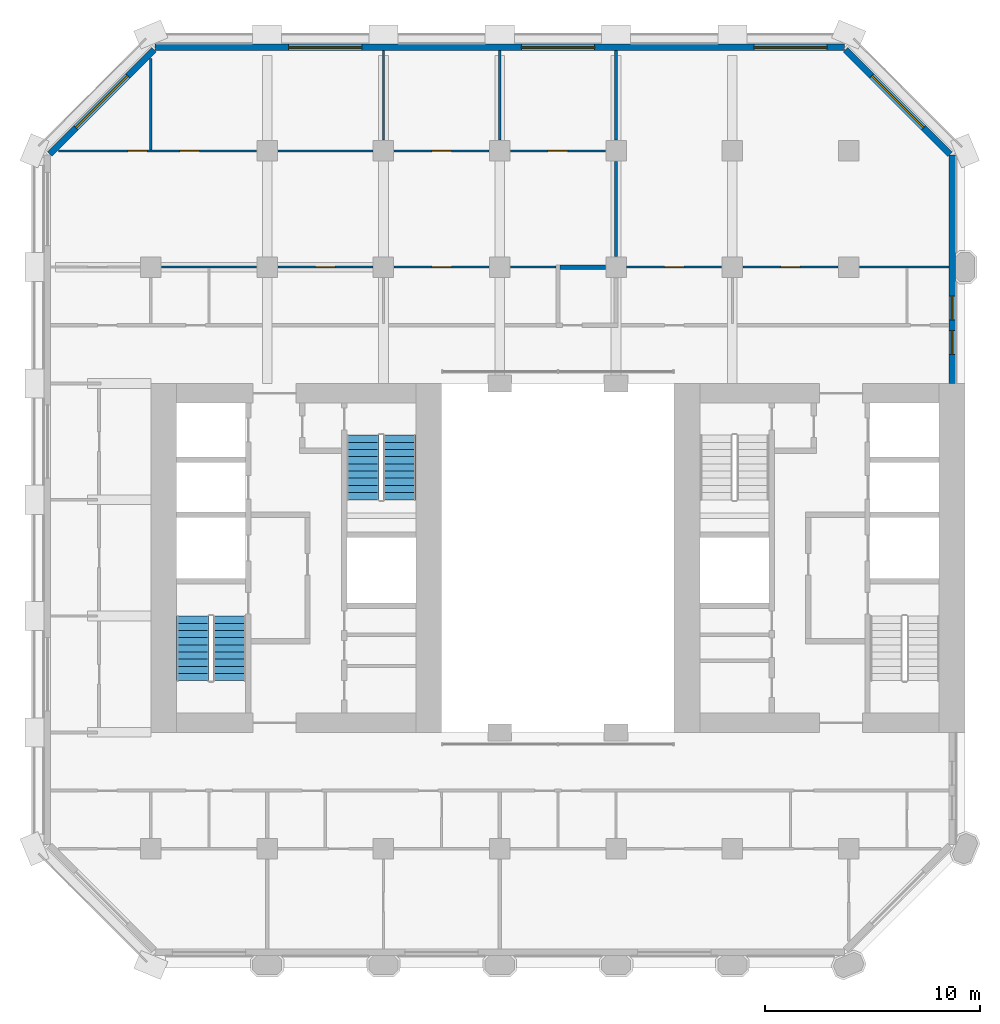
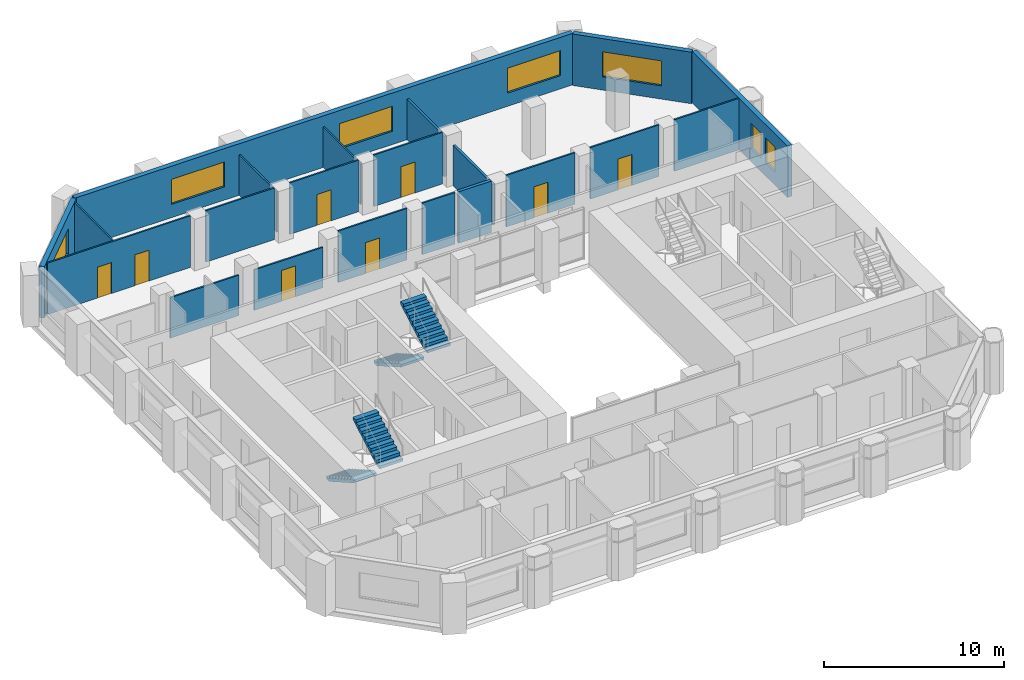
# One storey, part 9 of 13: 21 walls, 8 doors, 7 windows, 4 stair flights, 15 openings, 2 elements without a shape of their own.
"""IFC4 building model written with IfcOpenShell, lengths in metres."""

from ifc_helpers import new_model, si_unit, direction, frame, frame_2d, origin, place, context, subcontext, project, spatial, polyline, rectangle, outline, extrude, material, layer, layer_set, type_object, element, fill, aggregate, save


model = new_model("IFC4")

# Units and contexts
model_context = context("Model", 3, precision=1e-05, world=origin(), true_north=direction((0.0, 1.0)))
body_context = subcontext(model_context, "Body", "Model", "MODEL_VIEW")
ifc_project = project(units=[si_unit("LENGTHUNIT", "METRE"), si_unit("AREAUNIT", "SQUARE_METRE"), si_unit("VOLUMEUNIT", "CUBIC_METRE"), si_unit("PLANEANGLEUNIT", "RADIAN"), si_unit("MASSUNIT", "GRAM", prefix="KILO")], contexts=[model_context])

# Site, building, storey
site_placement = place(None, origin())
site = spatial("IfcSite", under=ifc_project, at=site_placement, CompositionType="ELEMENT")
building_placement = place(site_placement, origin())
building = spatial("IfcBuilding", under=site, at=building_placement, Name="Tabaq Tower and Sports Hall", CompositionType="ELEMENT")
storey_placement = place(building_placement, frame((0.0, 0.0, 110.60009765625)))
storey = spatial("IfcBuildingStorey", under=building, at=storey_placement, Name="L26", CompositionType="ELEMENT", Elevation=110.60009765625)

# Wall
ifc_material_1 = material(Name="Blockwork", Category="masonry")
ifc_layer_1 = layer(ifc_material_1, 0.199951171875)
ifc_layer_set_1 = layer_set([ifc_layer_1], Name="Fire compartment wall 200 Blockwork")
wall_type_1 = type_object("IfcWallType", Name="Fire compartment wall 200 Blockwork", PredefinedType="PARTITIONING", material=ifc_layer_set_1)
wall_1_placement = place(storey_placement, frame((26.5048828125, 37.800048828125, 0.0), z_axis=(0.0, 0.0, 1.0), x_axis=(-1.0, 0.0, 0.0)))
element("IfcWall", 1, at=wall_1_placement, inside=storey, type_object=wall_type_1, Name="Compartment wall L26", PredefinedType="PARTITIONING", context=body_context, shape_type="SweptSolid", body=[
    extrude(rectangle(XDim=2.10498046875, YDim=0.199951171875, at=frame_2d((1.052490234375, 0.0))), origin(), (0.0, 0.0, 1.0), 3.5),
])

# Wall, opening, door
ifc_material_2 = material(Name="Gypsum board on steel studs", Category="steel")
ifc_layer_2 = layer(ifc_material_2, 0.10009765625)
ifc_layer_set_2 = layer_set([ifc_layer_2], Name="Partition 100 Gypsum board")
wall_type_2 = type_object("IfcWallType", Name="Partition 100 Gypsum board", PredefinedType="PARTITIONING", material=ifc_layer_set_2)
wall_2_placement = place(storey_placement, frame((15.705078125, 37.800048828125, 0.0), z_axis=(0.0, 0.0, 1.0), x_axis=(-1.0, 0.0, 0.0)))
wall_2 = element("IfcWall", 2, at=wall_2_placement, inside=storey, type_object=wall_type_2, Name="Partition wall L26", PredefinedType="PARTITIONING", context=body_context, shape_type="SweptSolid", body=[
    extrude(rectangle(XDim=4.41015625, YDim=0.10009765625, at=frame_2d((2.205078125, 0.0))), origin(), (0.0, 0.0, 1.0), 2.75),
])
opening_1_placement = place(wall_2_placement, frame((1.7548828125, 0.0, 0.0)))
opening_1 = element("IfcOpeningElement", 3, at=opening_1_placement, cuts=wall_2, Name="Opening L26-012", PredefinedType="OPENING", context=body_context, shape_type="SweptSolid", body=[
    extrude(rectangle(XDim=0.89990234375, YDim=2.10009765625, at=frame_2d((0.449951171875, 1.050048828125))), frame((0.0, 0.050048828125, 0.0), z_axis=(0.0, -1.0, 0.0), x_axis=(1.0, 0.0, 0.0)), (0.0, 0.0, 1.0), 0.10009765625),
])
ifc_material_3 = material(Name="Timber leaf in steel frame", Category="steel")
door_type_1 = type_object("IfcDoorType", Name="Internal door 900 left hand", OperationType="SINGLE_SWING_LEFT", PredefinedType="DOOR", material=ifc_material_3)
door_1_placement = place(opening_1_placement, origin())
door_1 = element("IfcDoor", 4, at=door_1_placement, inside=storey, type_object=door_type_1, Name="Internal door L26-012", OperationType="SINGLE_SWING_LEFT", OverallHeight=2.10009765625, OverallWidth=0.89990234375, PredefinedType="DOOR", context=body_context, shape_type="SweptSolid", body=[
    extrude(rectangle(XDim=0.89990234375, YDim=2.10009765625, at=frame_2d((0.449951171875, 1.050048828125))), frame((0.0, 0.02490234375, 0.0), z_axis=(0.0, -1.0, 0.0), x_axis=(1.0, 0.0, 0.0)), (0.0, 0.0, 1.0), 0.050048828125),
])
fill(opening_1, door_1)

# Walls
wall_3_placement = place(storey_placement, frame((10.304931640625, 37.800048828125, 0.0), z_axis=(0.0, 0.0, 1.0), x_axis=(-1.0, 0.0, 0.0)))
element("IfcWall", 5, at=wall_3_placement, inside=storey, type_object=wall_type_2, Name="Partition wall L26", PredefinedType="PARTITIONING", context=body_context, shape_type="SweptSolid", body=[
    extrude(rectangle(XDim=4.409912109375, YDim=0.10009765625, at=frame_2d((2.205078125, 0.0))), origin(), (0.0, 0.0, 1.0), 2.75),
])
wall_4_placement = place(storey_placement, frame((24.199951171875, 37.800048828125, 0.0), z_axis=(0.0, 0.0, 1.0), x_axis=(-1.0, 0.0, 0.0)))
element("IfcWall", 6, at=wall_4_placement, inside=storey, type_object=wall_type_2, Name="Partition wall L26", PredefinedType="PARTITIONING", context=body_context, shape_type="SweptSolid", body=[
    extrude(rectangle(XDim=2.10498046875, YDim=0.10009765625, at=frame_2d((1.052490234375, 0.0))), origin(), (0.0, 0.0, 1.0), 3.5),
])

# Wall, opening, door
wall_5_placement = place(storey_placement, frame((21.10498046875, 37.800048828125, 0.0), z_axis=(0.0, 0.0, 1.0), x_axis=(-1.0, 0.0, 0.0)))
wall_5 = element("IfcWall", 7, at=wall_5_placement, inside=storey, type_object=wall_type_2, Name="Partition wall L26", PredefinedType="PARTITIONING", context=body_context, shape_type="SweptSolid", body=[
    extrude(rectangle(XDim=4.409912109375, YDim=0.10009765625, at=frame_2d((2.205078125, 0.0))), origin(), (0.0, 0.0, 1.0), 3.5),
])
opening_2_placement = place(wall_5_placement, frame((1.7548828125, 0.0, 0.0)))
opening_2 = element("IfcOpeningElement", 8, at=opening_2_placement, cuts=wall_5, Name="Opening L26-013", PredefinedType="OPENING", context=body_context, shape_type="SweptSolid", body=[
    extrude(rectangle(XDim=0.89990234375, YDim=2.10009765625, at=frame_2d((0.449951171875, 1.050048828125))), frame((0.0, 0.050048828125, 0.0), z_axis=(0.0, -1.0, 0.0), x_axis=(1.0, 0.0, 0.0)), (0.0, 0.0, 1.0), 0.10009765625),
])
ifc_material_4 = material(Name="Timber leaf in steel frame", Category="steel")
door_type_2 = type_object("IfcDoorType", Name="Internal door 900 right hand", OperationType="SINGLE_SWING_RIGHT", PredefinedType="DOOR", material=ifc_material_4)
door_2_placement = place(opening_2_placement, origin())
door_2 = element("IfcDoor", 9, at=door_2_placement, inside=storey, type_object=door_type_2, Name="Internal door L26-013", OperationType="SINGLE_SWING_RIGHT", OverallHeight=2.10009765625, OverallWidth=0.89990234375, PredefinedType="DOOR", context=body_context, shape_type="SweptSolid", body=[
    extrude(rectangle(XDim=0.89990234375, YDim=2.10009765625, at=frame_2d((0.449951171875, 1.050048828125))), frame((0.0, 0.02490234375, 0.0), z_axis=(0.0, -1.0, 0.0), x_axis=(1.0, 0.0, 0.0)), (0.0, 0.0, 1.0), 0.050048828125),
])
fill(opening_2, door_2)

wall_6_placement = place(storey_placement, frame((26.5048828125, 43.199951171875, 0.0), z_axis=(0.0, 0.0, 1.0), x_axis=(-1.0, 0.0, 0.0)))
wall_6 = element("IfcWall", 10, at=wall_6_placement, inside=storey, type_object=wall_type_2, Name="Partition wall L26", PredefinedType="PARTITIONING", context=body_context, shape_type="SweptSolid", body=[
    extrude(rectangle(XDim=4.409912109375, YDim=0.10009765625, at=frame_2d((2.205078125, 0.0))), origin(), (0.0, 0.0, 1.0), 3.5),
])
opening_3_placement = place(wall_6_placement, frame((1.7548828125, 0.0, 0.0)))
opening_3 = element("IfcOpeningElement", 11, at=opening_3_placement, cuts=wall_6, Name="Opening L26-017", PredefinedType="OPENING", context=body_context, shape_type="SweptSolid", body=[
    extrude(rectangle(XDim=0.89990234375, YDim=2.10009765625, at=frame_2d((0.449951171875, 1.050048828125))), frame((0.0, 0.050048828125, 0.0), z_axis=(0.0, -1.0, 0.0), x_axis=(1.0, 0.0, 0.0)), (0.0, 0.0, 1.0), 0.10009765625),
])
door_3_placement = place(opening_3_placement, origin())
door_3 = element("IfcDoor", 12, at=door_3_placement, inside=storey, type_object=door_type_1, Name="Internal door L26-017", OperationType="SINGLE_SWING_LEFT", OverallHeight=2.10009765625, OverallWidth=0.89990234375, PredefinedType="DOOR", context=body_context, shape_type="SweptSolid", body=[
    extrude(rectangle(XDim=0.89990234375, YDim=2.10009765625, at=frame_2d((0.449951171875, 1.050048828125))), frame((0.0, 0.02490234375, 0.0), z_axis=(0.0, -1.0, 0.0), x_axis=(1.0, 0.0, 0.0)), (0.0, 0.0, 1.0), 0.050048828125),
])
fill(opening_3, door_3)

wall_7_placement = place(storey_placement, frame((21.10498046875, 43.199951171875, 0.0), z_axis=(0.0, 0.0, 1.0), x_axis=(-1.0, 0.0, 0.0)))
wall_7 = element("IfcWall", 13, at=wall_7_placement, inside=storey, type_object=wall_type_2, Name="Partition wall L26", PredefinedType="PARTITIONING", context=body_context, shape_type="SweptSolid", body=[
    extrude(rectangle(XDim=4.409912109375, YDim=0.10009765625, at=frame_2d((2.205078125, 0.0))), origin(), (0.0, 0.0, 1.0), 3.5),
])
opening_4_placement = place(wall_7_placement, frame((1.7548828125, 0.0, 0.0)))
opening_4 = element("IfcOpeningElement", 14, at=opening_4_placement, cuts=wall_7, Name="Opening L26-016", PredefinedType="OPENING", context=body_context, shape_type="SweptSolid", body=[
    extrude(rectangle(XDim=0.89990234375, YDim=2.10009765625, at=frame_2d((0.449951171875, 1.050048828125))), frame((0.0, 0.050048828125, 0.0), z_axis=(0.0, -1.0, 0.0), x_axis=(1.0, 0.0, 0.0)), (0.0, 0.0, 1.0), 0.10009765625),
])
door_4_placement = place(opening_4_placement, origin())
door_4 = element("IfcDoor", 15, at=door_4_placement, inside=storey, type_object=door_type_1, Name="Internal door L26-016", OperationType="SINGLE_SWING_LEFT", OverallHeight=2.10009765625, OverallWidth=0.89990234375, PredefinedType="DOOR", context=body_context, shape_type="SweptSolid", body=[
    extrude(rectangle(XDim=0.89990234375, YDim=2.10009765625, at=frame_2d((0.449951171875, 1.050048828125))), frame((0.0, 0.02490234375, 0.0), z_axis=(0.0, -1.0, 0.0), x_axis=(1.0, 0.0, 0.0)), (0.0, 0.0, 1.0), 0.050048828125),
])
fill(opening_4, door_4)

# Wall
wall_8_placement = place(storey_placement, frame((15.705078125, 43.199951171875, 0.0), z_axis=(0.0, 0.0, 1.0), x_axis=(-1.0, 0.0, 0.0)))
element("IfcWall", 16, at=wall_8_placement, inside=storey, type_object=wall_type_2, Name="Partition wall L26", PredefinedType="PARTITIONING", context=body_context, shape_type="SweptSolid", body=[
    extrude(rectangle(XDim=4.41015625, YDim=0.10009765625, at=frame_2d((2.205078125, 0.0))), origin(), (0.0, 0.0, 1.0), 3.5),
])

# Wall, openings, doors
wall_9_placement = place(storey_placement, frame((10.304931640625, 43.199951171875, 0.0), z_axis=(0.0, 0.0, 1.0), x_axis=(-1.0, 0.0, 0.0)))
wall_9 = element("IfcWall", 17, at=wall_9_placement, inside=storey, type_object=wall_type_2, Name="Partition wall L26", PredefinedType="PARTITIONING", context=body_context, shape_type="SweptSolid", body=[
    extrude(rectangle(XDim=9.19287109375, YDim=0.10009765625, at=frame_2d((4.596435546875, 0.0))), origin(), (0.0, 0.0, 1.0), 3.5),
])
opening_5_placement = place(wall_9_placement, frame((5.074951171875, 0.0, 0.0)))
opening_5 = element("IfcOpeningElement", 18, at=opening_5_placement, cuts=wall_9, Name="Opening L26-014", PredefinedType="OPENING", context=body_context, shape_type="SweptSolid", body=[
    extrude(rectangle(XDim=0.89990234375, YDim=2.10009765625, at=frame_2d((0.449951171875, 1.050048828125))), frame((0.0, 0.050048828125, 0.0), z_axis=(0.0, -1.0, 0.0), x_axis=(1.0, 0.0, 0.0)), (0.0, 0.0, 1.0), 0.10009765625),
])
opening_6_placement = place(wall_9_placement, frame((2.655029296875, 0.0, 0.0)))
opening_6 = element("IfcOpeningElement", 19, at=opening_6_placement, cuts=wall_9, Name="Opening L26-015", PredefinedType="OPENING", context=body_context, shape_type="SweptSolid", body=[
    extrude(rectangle(XDim=0.89990234375, YDim=2.10009765625, at=frame_2d((0.449951171875, 1.050048828125))), frame((0.0, 0.050048828125, 0.0), z_axis=(0.0, -1.0, 0.0), x_axis=(1.0, 0.0, 0.0)), (0.0, 0.0, 1.0), 0.10009765625),
])
door_5_placement = place(opening_5_placement, origin())
door_5 = element("IfcDoor", 20, at=door_5_placement, inside=storey, type_object=door_type_1, Name="Internal door L26-014", OperationType="SINGLE_SWING_LEFT", OverallHeight=2.10009765625, OverallWidth=0.89990234375, PredefinedType="DOOR", context=body_context, shape_type="SweptSolid", body=[
    extrude(rectangle(XDim=0.89990234375, YDim=2.10009765625, at=frame_2d((0.449951171875, 1.050048828125))), frame((0.0, 0.02490234375, 0.0), z_axis=(0.0, -1.0, 0.0), x_axis=(1.0, 0.0, 0.0)), (0.0, 0.0, 1.0), 0.050048828125),
])
fill(opening_5, door_5)
door_6_placement = place(opening_6_placement, origin())
door_6 = element("IfcDoor", 21, at=door_6_placement, inside=storey, type_object=door_type_1, Name="Internal door L26-015", OperationType="SINGLE_SWING_LEFT", OverallHeight=2.10009765625, OverallWidth=0.89990234375, PredefinedType="DOOR", context=body_context, shape_type="SweptSolid", body=[
    extrude(rectangle(XDim=0.89990234375, YDim=2.10009765625, at=frame_2d((0.449951171875, 1.050048828125))), frame((0.0, 0.02490234375, 0.0), z_axis=(0.0, -1.0, 0.0), x_axis=(1.0, 0.0, 0.0)), (0.0, 0.0, 1.0), 0.050048828125),
])
fill(opening_6, door_6)

# Walls
wall_10_placement = place(storey_placement, frame((5.39990234375, 43.25, 0.0), z_axis=(0.0, 0.0, 1.0), x_axis=(0.0, 1.0, 0.0)))
element("IfcWall", 22, at=wall_10_placement, inside=storey, type_object=wall_type_2, Name="Partition wall L26", PredefinedType="PARTITIONING", context=body_context, shape_type="SweptSolid", body=[
    extrude(rectangle(XDim=4.23779296875, YDim=0.10009765625, at=frame_2d((2.118896484375, 0.0))), origin(), (0.0, 0.0, 1.0), 3.5),
])
for number, where, z_axis, x_axis, name in (
    (23, (16.199951171875, 43.695068359375, 0.0), (0.0, 0.0, 1.0), (0.0, 1.0, 0.0), "Partition wall L26"),
    (24, (21.60009765625, 43.695068359375, 0.0), (0.0, 0.0, 1.0), (0.0, 1.0, 0.0), "Partition wall L26"),
):
    element("IfcWall", number, at=place(storey_placement, frame(where, z_axis=z_axis, x_axis=x_axis)), inside=storey, type_object=wall_type_2, Name=name, PredefinedType="PARTITIONING", context=body_context, shape_type="SweptSolid", body=[
        extrude(rectangle(XDim=4.154052734375, YDim=0.10009765625, at=frame_2d((2.0771484375, 0.0))), origin(), (0.0, 0.0, 1.0), 2.75),
    ])

# Wall, opening, door
wall_11_placement = place(storey_placement, frame((31.905029296875, 37.800048828125, 0.0), z_axis=(0.0, 0.0, 1.0), x_axis=(-1.0, 0.0, 0.0)))
wall_11 = element("IfcWall", 25, at=wall_11_placement, inside=storey, type_object=wall_type_2, Name="Partition wall L26", PredefinedType="PARTITIONING", context=body_context, shape_type="SweptSolid", body=[
    extrude(rectangle(XDim=4.409912109375, YDim=0.10009765625, at=frame_2d((2.205078125, 0.0))), origin(), (0.0, 0.0, 1.0), 3.5),
])
opening_7_placement = place(wall_11_placement, frame((1.7548828125, 0.0, 0.0)))
opening_7 = element("IfcOpeningElement", 26, at=opening_7_placement, cuts=wall_11, Name="Opening L26-029", PredefinedType="OPENING", context=body_context, shape_type="SweptSolid", body=[
    extrude(rectangle(XDim=0.89990234375, YDim=2.10009765625, at=frame_2d((0.449951171875, 1.050048828125))), frame((0.0, 0.050048828125, 0.0), z_axis=(0.0, -1.0, 0.0), x_axis=(1.0, 0.0, 0.0)), (0.0, 0.0, 1.0), 0.10009765625),
])
door_7_placement = place(opening_7_placement, origin())
door_7 = element("IfcDoor", 27, at=door_7_placement, inside=storey, type_object=door_type_1, Name="Internal door L26-029", OperationType="SINGLE_SWING_LEFT", OverallHeight=2.10009765625, OverallWidth=0.89990234375, PredefinedType="DOOR", context=body_context, shape_type="SweptSolid", body=[
    extrude(rectangle(XDim=0.89990234375, YDim=2.10009765625, at=frame_2d((0.449951171875, 1.050048828125))), frame((0.0, 0.02490234375, 0.0), z_axis=(0.0, -1.0, 0.0), x_axis=(1.0, 0.0, 0.0)), (0.0, 0.0, 1.0), 0.050048828125),
])
fill(opening_7, door_7)

wall_12_placement = place(storey_placement, frame((37.304931640625, 37.800048828125, 0.0), z_axis=(0.0, 0.0, 1.0), x_axis=(-1.0, 0.0, 0.0)))
wall_12 = element("IfcWall", 28, at=wall_12_placement, inside=storey, type_object=wall_type_2, Name="Partition wall L26", PredefinedType="PARTITIONING", context=body_context, shape_type="SweptSolid", body=[
    extrude(rectangle(XDim=4.409912109375, YDim=0.10009765625, at=frame_2d((2.205078125, 0.0))), origin(), (0.0, 0.0, 1.0), 3.5),
])
opening_8_placement = place(wall_12_placement, frame((1.7548828125, 0.0, 0.0)))
opening_8 = element("IfcOpeningElement", 29, at=opening_8_placement, cuts=wall_12, Name="Opening L26-018", PredefinedType="OPENING", context=body_context, shape_type="SweptSolid", body=[
    extrude(rectangle(XDim=0.89990234375, YDim=2.10009765625, at=frame_2d((0.449951171875, 1.050048828125))), frame((0.0, 0.050048828125, 0.0), z_axis=(0.0, -1.0, 0.0), x_axis=(1.0, 0.0, 0.0)), (0.0, 0.0, 1.0), 0.10009765625),
])
door_8_placement = place(opening_8_placement, origin())
door_8 = element("IfcDoor", 30, at=door_8_placement, inside=storey, type_object=door_type_2, Name="Internal door L26-018", OperationType="SINGLE_SWING_RIGHT", OverallHeight=2.10009765625, OverallWidth=0.89990234375, PredefinedType="DOOR", context=body_context, shape_type="SweptSolid", body=[
    extrude(rectangle(XDim=0.89990234375, YDim=2.10009765625, at=frame_2d((0.449951171875, 1.050048828125))), frame((0.0, 0.02490234375, 0.0), z_axis=(0.0, -1.0, 0.0), x_axis=(1.0, 0.0, 0.0)), (0.0, 0.0, 1.0), 0.050048828125),
])
fill(opening_8, door_8)

# Walls
wall_13_placement = place(storey_placement, frame((42.448974609375, 37.800048828125, 0.0), z_axis=(0.0, 0.0, 1.0), x_axis=(-1.0, 0.0, 0.0)))
element("IfcWall", 31, at=wall_13_placement, inside=storey, type_object=wall_type_2, Name="Partition wall L26", PredefinedType="PARTITIONING", context=body_context, shape_type="SweptSolid", body=[
    extrude(rectangle(XDim=4.154052734375, YDim=0.10009765625, at=frame_2d((2.0771484375, 0.0))), origin(), (0.0, 0.0, 1.0), 3.5),
])
ifc_material_5 = material(Name="Blockwork", Category="masonry")
ifc_layer_3 = layer(ifc_material_5, 0.14990234375)
ifc_layer_set_3 = layer_set([ifc_layer_3], Name="Separating wall 150 Blockwork")
wall_type_3 = type_object("IfcWallType", Name="Separating wall 150 Blockwork", PredefinedType="PARTITIONING", material=ifc_layer_set_3)
wall_14_placement = place(storey_placement, frame((27.0, 38.294921875, 0.0), z_axis=(0.0, 0.0, 1.0), x_axis=(0.0, 1.0, 0.0)))
element("IfcWall", 32, at=wall_14_placement, inside=storey, type_object=wall_type_3, Name="Separating wall L26", PredefinedType="PARTITIONING", context=body_context, shape_type="SweptSolid", body=[
    extrude(rectangle(XDim=4.41015625, YDim=0.14990234375, at=frame_2d((2.205078125, 0.0))), origin(), (0.0, 0.0, 1.0), 2.75),
])
wall_15_placement = place(storey_placement, frame((27.0, 43.695068359375, 0.0), z_axis=(0.0, 0.0, 1.0), x_axis=(0.0, 1.0, 0.0)))
element("IfcWall", 33, at=wall_15_placement, inside=storey, type_object=wall_type_3, Name="Separating wall L26", PredefinedType="PARTITIONING", context=body_context, shape_type="SweptSolid", body=[
    extrude(rectangle(XDim=4.154052734375, YDim=0.14990234375, at=frame_2d((2.0771484375, 0.0))), origin(), (0.0, 0.0, 1.0), 2.75),
])

# Wall, openings, windows
ifc_material_6 = material(Name="White precast concrete C60/75", Category="concrete")
ifc_layer_4 = layer(ifc_material_6, 0.300048828125)
ifc_layer_set_4 = layer_set([ifc_layer_4], Name="White precast concrete C60/75 external wall 300")
wall_type_4 = type_object("IfcWallType", Name="White precast concrete C60/75 external wall 300", PredefinedType="SOLIDWALL", material=ifc_layer_set_4)
wall_16_placement = place(storey_placement, frame((42.60009765625, 32.39990234375, 0.0), z_axis=(0.0, 0.0, 1.0), x_axis=(0.0, 1.0, 0.0)))
wall_16 = element("IfcWall", 34, at=wall_16_placement, inside=storey, type_object=wall_type_4, Name="External Wall L26 E", PredefinedType="SOLIDWALL", context=body_context, shape_type="SweptSolid", body=[
    extrude(rectangle(XDim=10.61376953125, YDim=0.300048828125, at=frame_2d((5.306884765625, 0.0))), origin(), (0.0, 0.0, 1.0), 3.5),
])
opening_9_placement = place(wall_16_placement, frame((1.35009765625, 0.0, 0.89990234375)))
opening_9 = element("IfcOpeningElement", 35, at=opening_9_placement, cuts=wall_16, Name="Opening W1B", PredefinedType="OPENING", context=body_context, shape_type="SweptSolid", body=[
    extrude(rectangle(XDim=1.10009765625, YDim=1.699951171875, at=frame_2d((0.550048828125, 0.85009765625))), frame((0.0, 0.16015625, 0.0), z_axis=(0.0, -1.0, 0.0), x_axis=(1.0, 0.0, 0.0)), (0.0, 0.0, 1.0), 0.320068359375),
])
opening_10_placement = place(wall_16_placement, frame((2.949951171875, 0.0, 0.89990234375)))
opening_10 = element("IfcOpeningElement", 36, at=opening_10_placement, cuts=wall_16, Name="Opening W1B", PredefinedType="OPENING", context=body_context, shape_type="SweptSolid", body=[
    extrude(rectangle(XDim=1.10009765625, YDim=1.699951171875, at=frame_2d((0.550048828125, 0.85009765625))), frame((0.0, 0.16015625, 0.0), z_axis=(0.0, -1.0, 0.0), x_axis=(1.0, 0.0, 0.0)), (0.0, 0.0, 1.0), 0.320068359375),
])
ifc_material_7 = material(Name="Aluminium framed clear glazing", Category="aluminium")
window_type_1 = type_object("IfcWindowType", Name="Window W1B", PartitioningType="SINGLE_PANEL", PredefinedType="WINDOW", material=ifc_material_7)
window_1_placement = place(opening_9_placement, origin())
window_1 = element("IfcWindow", 37, at=window_1_placement, inside=storey, type_object=window_type_1, Name="Window W1B L26", OverallHeight=1.699951171875, OverallWidth=1.10009765625, PartitioningType="SINGLE_PANEL", PredefinedType="WINDOW", context=body_context, shape_type="SweptSolid", body=[
    extrude(rectangle(XDim=1.10009765625, YDim=1.699951171875, at=frame_2d((0.550048828125, 0.85009765625))), frame((0.0, 0.030029296875, 0.0), z_axis=(0.0, -1.0, 0.0), x_axis=(1.0, 0.0, 0.0)), (0.0, 0.0, 1.0), 0.06005859375),
])
fill(opening_9, window_1)
window_2_placement = place(opening_10_placement, origin())
window_2 = element("IfcWindow", 38, at=window_2_placement, inside=storey, type_object=window_type_1, Name="Window W1B L26", OverallHeight=1.699951171875, OverallWidth=1.10009765625, PartitioningType="SINGLE_PANEL", PredefinedType="WINDOW", context=body_context, shape_type="SweptSolid", body=[
    extrude(rectangle(XDim=1.10009765625, YDim=1.699951171875, at=frame_2d((0.550048828125, 0.85009765625))), frame((0.0, 0.030029296875, 0.0), z_axis=(0.0, -1.0, 0.0), x_axis=(1.0, 0.0, 0.0)), (0.0, 0.0, 1.0), 0.06005859375),
])
fill(opening_10, window_2)

# Wall, opening, window
wall_17_placement = place(storey_placement, frame((42.5009765625, 43.050537109375, 0.0), z_axis=(0.0, 0.0, 1.0), x_axis=(-0.707106781187, 0.707106781187, 0.0)))
wall_17 = element("IfcWall", 39, at=wall_17_placement, inside=storey, type_object=wall_type_4, Name="External Wall L26 NE", PredefinedType="SOLIDWALL", context=body_context, shape_type="SweptSolid", body=[
    extrude(rectangle(XDim=6.85986328125, YDim=0.300048828125, at=frame_2d((3.429931640625, 0.0))), origin(), (0.0, 0.0, 1.0), 3.5),
])
opening_11_placement = place(wall_17_placement, frame((1.729736328125, 0.0, 0.89990234375)))
opening_11 = element("IfcOpeningElement", 40, at=opening_11_placement, cuts=wall_17, Name="Opening W1A", PredefinedType="OPENING", context=body_context, shape_type="SweptSolid", body=[
    extrude(rectangle(XDim=3.39990234375, YDim=1.699951171875, at=frame_2d((1.699951171875, 0.85009765625))), frame((0.0, 0.16015625, 0.0), z_axis=(0.0, -1.0, 0.0), x_axis=(1.0, 0.0, 0.0)), (0.0, 0.0, 1.0), 0.320068359375),
])
ifc_material_8 = material(Name="Aluminium framed clear glazing", Category="aluminium")
window_type_2 = type_object("IfcWindowType", Name="Window W1A", PartitioningType="SINGLE_PANEL", PredefinedType="WINDOW", material=ifc_material_8)
window_3_placement = place(opening_11_placement, origin())
window_3 = element("IfcWindow", 41, at=window_3_placement, inside=storey, type_object=window_type_2, Name="Window W1A L26", OverallHeight=1.699951171875, OverallWidth=3.39990234375, PartitioningType="SINGLE_PANEL", PredefinedType="WINDOW", context=body_context, shape_type="SweptSolid", body=[
    extrude(rectangle(XDim=3.39990234375, YDim=1.699951171875, at=frame_2d((1.699951171875, 0.85009765625))), frame((0.0, 0.030029296875, 0.0), z_axis=(0.0, -1.0, 0.0), x_axis=(1.0, 0.0, 0.0)), (0.0, 0.0, 1.0), 0.06005859375),
])
fill(opening_11, window_3)

# Wall, openings, windows
wall_18_placement = place(storey_placement, frame((37.613525390625, 48.0, 0.0), z_axis=(0.0, 0.0, 1.0), x_axis=(-1.0, 0.0, 0.0)))
wall_18 = element("IfcWall", 42, at=wall_18_placement, inside=storey, type_object=wall_type_4, Name="External Wall L26 N", PredefinedType="SOLIDWALL", context=body_context, shape_type="SweptSolid", body=[
    extrude(rectangle(XDim=32.027099609375, YDim=0.300048828125, at=frame_2d((16.013671875, 0.0))), origin(), (0.0, 0.0, 1.0), 3.5),
])
opening_12_placement = place(wall_18_placement, frame((0.813720703125, 0.0, 0.89990234375)))
opening_12 = element("IfcOpeningElement", 43, at=opening_12_placement, cuts=wall_18, Name="Opening W1A", PredefinedType="OPENING", context=body_context, shape_type="SweptSolid", body=[
    extrude(rectangle(XDim=3.39990234375, YDim=1.699951171875, at=frame_2d((1.699951171875, 0.85009765625))), frame((0.0, 0.16015625, 0.0), z_axis=(0.0, -1.0, 0.0), x_axis=(1.0, 0.0, 0.0)), (0.0, 0.0, 1.0), 0.320068359375),
])
opening_13_placement = place(wall_18_placement, frame((11.613525390625, 0.0, 0.89990234375)))
opening_13 = element("IfcOpeningElement", 44, at=opening_13_placement, cuts=wall_18, Name="Opening W1A", PredefinedType="OPENING", context=body_context, shape_type="SweptSolid", body=[
    extrude(rectangle(XDim=3.39990234375, YDim=1.699951171875, at=frame_2d((1.699951171875, 0.85009765625))), frame((0.0, 0.16015625, 0.0), z_axis=(0.0, -1.0, 0.0), x_axis=(1.0, 0.0, 0.0)), (0.0, 0.0, 1.0), 0.320068359375),
])
opening_14_placement = place(wall_18_placement, frame((22.41357421875, 0.0, 0.89990234375)))
opening_14 = element("IfcOpeningElement", 45, at=opening_14_placement, cuts=wall_18, Name="Opening W1A", PredefinedType="OPENING", context=body_context, shape_type="SweptSolid", body=[
    extrude(rectangle(XDim=3.39990234375, YDim=1.699951171875, at=frame_2d((1.699951171875, 0.85009765625))), frame((0.0, 0.16015625, 0.0), z_axis=(0.0, -1.0, 0.0), x_axis=(1.0, 0.0, 0.0)), (0.0, 0.0, 1.0), 0.320068359375),
])
window_4_placement = place(opening_12_placement, origin())
window_4 = element("IfcWindow", 46, at=window_4_placement, inside=storey, type_object=window_type_2, Name="Window W1A L26", OverallHeight=1.699951171875, OverallWidth=3.39990234375, PartitioningType="SINGLE_PANEL", PredefinedType="WINDOW", context=body_context, shape_type="SweptSolid", body=[
    extrude(rectangle(XDim=3.39990234375, YDim=1.699951171875, at=frame_2d((1.699951171875, 0.85009765625))), frame((0.0, 0.030029296875, 0.0), z_axis=(0.0, -1.0, 0.0), x_axis=(1.0, 0.0, 0.0)), (0.0, 0.0, 1.0), 0.06005859375),
])
fill(opening_12, window_4)
window_5_placement = place(opening_13_placement, origin())
window_5 = element("IfcWindow", 47, at=window_5_placement, inside=storey, type_object=window_type_2, Name="Window W1A L26", OverallHeight=1.699951171875, OverallWidth=3.39990234375, PartitioningType="SINGLE_PANEL", PredefinedType="WINDOW", context=body_context, shape_type="SweptSolid", body=[
    extrude(rectangle(XDim=3.39990234375, YDim=1.699951171875, at=frame_2d((1.699951171875, 0.85009765625))), frame((0.0, 0.030029296875, 0.0), z_axis=(0.0, -1.0, 0.0), x_axis=(1.0, 0.0, 0.0)), (0.0, 0.0, 1.0), 0.06005859375),
])
fill(opening_13, window_5)
window_6_placement = place(opening_14_placement, origin())
window_6 = element("IfcWindow", 48, at=window_6_placement, inside=storey, type_object=window_type_2, Name="Window W1A L26", OverallHeight=1.699951171875, OverallWidth=3.39990234375, PartitioningType="SINGLE_PANEL", PredefinedType="WINDOW", context=body_context, shape_type="SweptSolid", body=[
    extrude(rectangle(XDim=3.39990234375, YDim=1.699951171875, at=frame_2d((1.699951171875, 0.85009765625))), frame((0.0, 0.030029296875, 0.0), z_axis=(0.0, -1.0, 0.0), x_axis=(1.0, 0.0, 0.0)), (0.0, 0.0, 1.0), 0.06005859375),
])
fill(opening_14, window_6)

# Wall, opening, window
wall_19_placement = place(storey_placement, frame((5.549560546875, 47.901123046875, 0.0), z_axis=(0.0, 0.0, 1.0), x_axis=(-0.707106781187, -0.707106781187, 0.0)))
wall_19 = element("IfcWall", 49, at=wall_19_placement, inside=storey, type_object=wall_type_4, Name="External Wall L26 NW", PredefinedType="SOLIDWALL", context=body_context, shape_type="SweptSolid", body=[
    extrude(rectangle(XDim=6.85986328125, YDim=0.300048828125, at=frame_2d((3.429931640625, 0.0))), origin(), (0.0, 0.0, 1.0), 3.5),
])
opening_15_placement = place(wall_19_placement, frame((1.729736328125, 0.0, 0.89990234375)))
opening_15 = element("IfcOpeningElement", 50, at=opening_15_placement, cuts=wall_19, Name="Opening W1A", PredefinedType="OPENING", context=body_context, shape_type="SweptSolid", body=[
    extrude(rectangle(XDim=3.39990234375, YDim=1.699951171875, at=frame_2d((1.699951171875, 0.85009765625))), frame((0.0, 0.16015625, 0.0), z_axis=(0.0, -1.0, 0.0), x_axis=(1.0, 0.0, 0.0)), (0.0, 0.0, 1.0), 0.320068359375),
])
window_7_placement = place(opening_15_placement, origin())
window_7 = element("IfcWindow", 51, at=window_7_placement, inside=storey, type_object=window_type_2, Name="Window W1A L26", OverallHeight=1.699951171875, OverallWidth=3.39990234375, PartitioningType="SINGLE_PANEL", PredefinedType="WINDOW", context=body_context, shape_type="SweptSolid", body=[
    extrude(rectangle(XDim=3.39990234375, YDim=1.699951171875, at=frame_2d((1.699951171875, 0.85009765625))), frame((0.0, 0.030029296875, 0.0), z_axis=(0.0, -1.0, 0.0), x_axis=(1.0, 0.0, 0.0)), (0.0, 0.0, 1.0), 0.06005859375),
])
fill(opening_15, window_7)

# Stair, stair flights
ifc_material_9 = material(Name="Concrete C40/50", Category="concrete")
stair_type = type_object("IfcStairType", Name="Exit stair", PredefinedType="HALF_TURN_STAIR", material=ifc_material_9)
stair_1_placement = place(storey_placement, origin())
stair_1 = element("IfcStair", 52, at=stair_1_placement, inside=storey, type_object=stair_type, Name="L26 Exit stair ST1", PredefinedType="HALF_TURN_STAIR")
ifc_material_10 = material(Name="Concrete C40/50", Category="concrete")
stair_flight_type = type_object("IfcStairFlightType", Name="Exit stair flight", PredefinedType="STRAIGHT", material=ifc_material_10)
stair_flight_1_placement = place(storey_placement, frame((7.35009765625, 21.60009765625, 0.0), z_axis=(0.0, 0.0, 1.0), x_axis=(0.0, -1.0, 0.0)))
stair_flight_1 = element("IfcStairFlight", 53, at=stair_flight_1_placement, type_object=stair_flight_type, Name="ST1 flight 1", NumberOfRisers=10, NumberOfTreads=9, PredefinedType="STRAIGHT", RiserHeight=0.19, TreadLength=0.333333333, context=body_context, shape_type="SweptSolid", body=[
    extrude(outline(polyline([(0.0, 0.0), (0.0, 0.18994140625), (0.333251953125, 0.18994140625), (0.333251953125, 0.3798828125), (0.666748046875, 0.3798828125), (0.666748046875, 0.570068359375), (1.0, 0.570068359375), (1.0, 0.760009765625), (1.333251953125, 0.760009765625), (1.333251953125, 0.949951171875), (1.666748046875, 0.949951171875), (1.666748046875, 1.139892578125), (2.0, 1.139892578125), (2.0, 1.330078125), (2.333251953125, 1.330078125), (2.333251953125, 1.52001953125), (2.666748046875, 1.52001953125), (2.666748046875, 1.7099609375), (3.0, 1.7099609375), (3.0, 1.89990234375), (3.0, 1.537353515625), (0.302734375, 0.0), (0.0, 0.0)])), frame((0.0, 0.75, 0.0), z_axis=(0.0, -1.0, 0.0), x_axis=(1.0, 0.0, 0.0)), (0.0, 0.0, 1.0), 1.5),
])
stair_flight_2_placement = place(storey_placement, frame((9.050048828125, 18.60009765625, 1.89990234375), z_axis=(0.0, 0.0, 1.0), x_axis=(0.0, 1.0, 0.0)))
stair_flight_2 = element("IfcStairFlight", 54, at=stair_flight_2_placement, type_object=stair_flight_type, Name="ST1 flight 2", NumberOfRisers=10, NumberOfTreads=9, PredefinedType="STRAIGHT", RiserHeight=0.19, TreadLength=0.333333333, context=body_context, shape_type="SweptSolid", body=[
    extrude(outline(polyline([(0.0, 0.0), (0.0, 0.18994140625), (0.333251953125, 0.18994140625), (0.333251953125, 0.3798828125), (0.666748046875, 0.3798828125), (0.666748046875, 0.570068359375), (1.0, 0.570068359375), (1.0, 0.760009765625), (1.333251953125, 0.760009765625), (1.333251953125, 0.949951171875), (1.666748046875, 0.949951171875), (1.666748046875, 1.139892578125), (2.0, 1.139892578125), (2.0, 1.330078125), (2.333251953125, 1.330078125), (2.333251953125, 1.52001953125), (2.666748046875, 1.52001953125), (2.666748046875, 1.7099609375), (3.0, 1.7099609375), (3.0, 1.89990234375), (3.0, 1.537353515625), (0.302734375, 0.0), (0.0, 0.0)])), frame((0.0, 0.75, 0.0), z_axis=(0.0, -1.0, 0.0), x_axis=(1.0, 0.0, 0.0)), (0.0, 0.0, 1.0), 1.5),
])
aggregate(stair_1, [stair_flight_1, stair_flight_2])

stair_2_placement = place(storey_placement, origin())
stair_2 = element("IfcStair", 55, at=stair_2_placement, inside=storey, type_object=stair_type, Name="L26 Exit stair ST2", PredefinedType="HALF_TURN_STAIR")
stair_flight_3_placement = place(storey_placement, frame((15.25, 30.0, 0.0), z_axis=(0.0, 0.0, 1.0), x_axis=(0.0, -1.0, 0.0)))
stair_flight_3 = element("IfcStairFlight", 56, at=stair_flight_3_placement, type_object=stair_flight_type, Name="ST2 flight 1", NumberOfRisers=10, NumberOfTreads=9, PredefinedType="STRAIGHT", RiserHeight=0.19, TreadLength=0.333333333, context=body_context, shape_type="SweptSolid", body=[
    extrude(outline(polyline([(0.0, 0.0), (0.0, 0.18994140625), (0.333251953125, 0.18994140625), (0.333251953125, 0.3798828125), (0.666748046875, 0.3798828125), (0.666748046875, 0.570068359375), (1.0, 0.570068359375), (1.0, 0.760009765625), (1.333251953125, 0.760009765625), (1.333251953125, 0.949951171875), (1.666748046875, 0.949951171875), (1.666748046875, 1.139892578125), (2.0, 1.139892578125), (2.0, 1.330078125), (2.333251953125, 1.330078125), (2.333251953125, 1.52001953125), (2.666748046875, 1.52001953125), (2.666748046875, 1.7099609375), (3.0, 1.7099609375), (3.0, 1.89990234375), (3.0, 1.537353515625), (0.302734375, 0.0), (0.0, 0.0)])), frame((0.0, 0.75, 0.0), z_axis=(0.0, -1.0, 0.0), x_axis=(1.0, 0.0, 0.0)), (0.0, 0.0, 1.0), 1.5),
])
stair_flight_4_placement = place(storey_placement, frame((16.949951171875, 27.0, 1.89990234375), z_axis=(0.0, 0.0, 1.0), x_axis=(0.0, 1.0, 0.0)))
stair_flight_4 = element("IfcStairFlight", 57, at=stair_flight_4_placement, type_object=stair_flight_type, Name="ST2 flight 2", NumberOfRisers=10, NumberOfTreads=9, PredefinedType="STRAIGHT", RiserHeight=0.19, TreadLength=0.333333333, context=body_context, shape_type="SweptSolid", body=[
    extrude(outline(polyline([(0.0, 0.0), (0.0, 0.18994140625), (0.333251953125, 0.18994140625), (0.333251953125, 0.3798828125), (0.666748046875, 0.3798828125), (0.666748046875, 0.570068359375), (1.0, 0.570068359375), (1.0, 0.760009765625), (1.333251953125, 0.760009765625), (1.333251953125, 0.949951171875), (1.666748046875, 0.949951171875), (1.666748046875, 1.139892578125), (2.0, 1.139892578125), (2.0, 1.330078125), (2.333251953125, 1.330078125), (2.333251953125, 1.52001953125), (2.666748046875, 1.52001953125), (2.666748046875, 1.7099609375), (3.0, 1.7099609375), (3.0, 1.89990234375), (3.0, 1.537353515625), (0.302734375, 0.0), (0.0, 0.0)])), frame((0.0, 0.75, 0.0), z_axis=(0.0, -1.0, 0.0), x_axis=(1.0, 0.0, 0.0)), (0.0, 0.0, 1.0), 1.5),
])
aggregate(stair_2, [stair_flight_3, stair_flight_4])

save(model, "model.ifc")
